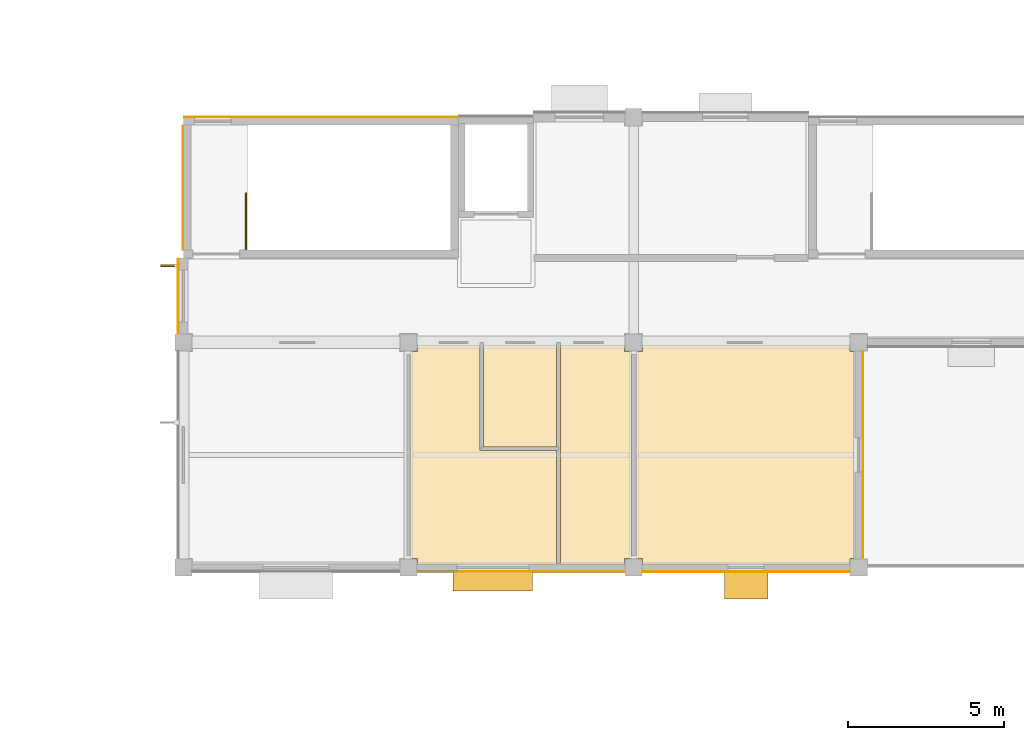
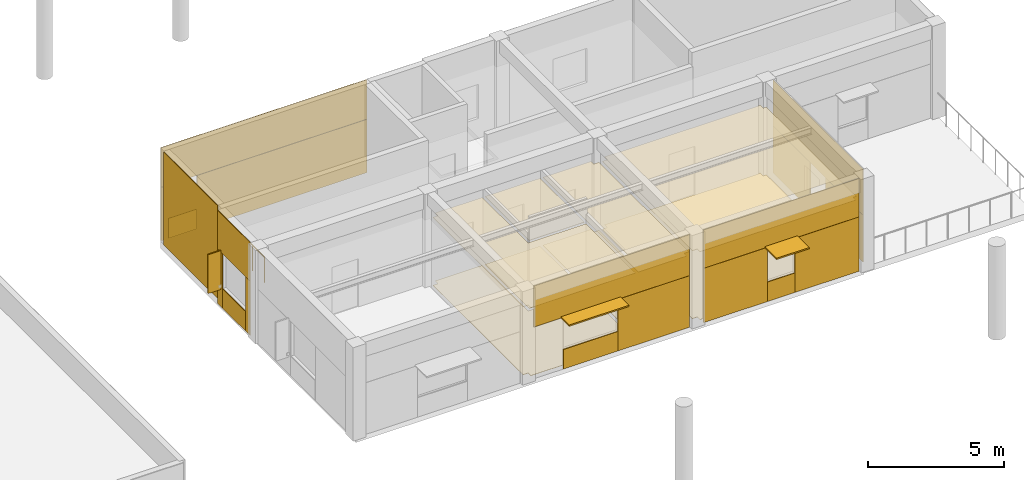
# One storey, part 21 of 29: 27 coverings, 3 shading devices, 1 railing.
"""IFC4 building model written with IfcOpenShell, lengths in metres."""

from ifc_helpers import new_model, si_unit, direction, frame, origin, origin_2d, place, context, subcontext, project, spatial, polyline, rectangle, circle, outline, extrude, material, layer, layer_set, type_object, element, save


model = new_model("IFC4")

# Units and contexts
model_context = context("Model", 3, precision=1e-05, world=origin(), true_north=direction((0.0, 1.0)))
body_context = subcontext(model_context, "Body", "Model", "MODEL_VIEW")
ifc_project = project(units=[si_unit("LENGTHUNIT", "METRE"), si_unit("AREAUNIT", "SQUARE_METRE"), si_unit("VOLUMEUNIT", "CUBIC_METRE"), si_unit("PLANEANGLEUNIT", "RADIAN"), si_unit("MASSUNIT", "GRAM", prefix="KILO")], contexts=[model_context])

# Site, building, storey
site_placement = place(None, origin())
site = spatial("IfcSite", under=ifc_project, at=site_placement, CompositionType="ELEMENT")
building_placement = place(site_placement, origin())
building = spatial("IfcBuilding", under=site, at=building_placement, Name="Namkhue Oval Health Centre", CompositionType="ELEMENT")
storey_placement = place(building_placement, frame((0.0, 0.0, 18.0)))
storey = spatial("IfcBuildingStorey", under=building, at=storey_placement, Name="L04", CompositionType="ELEMENT", Elevation=18.0)

# Coverings
ifc_material_1 = material(Name="Acoustic mineral-fibre cleanroom ceiling", Category="gypsum")
ifc_layer_1 = layer(ifc_material_1, 0.02001953125)
ifc_layer_set_1 = layer_set([ifc_layer_1], Name="Acoustic mineral-fibre cleanroom ceiling")
covering_type_1 = type_object("IfcCoveringType", Name="ACOUSTIC CLEANROOM CEILING 20", PredefinedType="CEILING", material=ifc_layer_set_1)
covering_1_placement = place(storey_placement, frame((0.0, 0.0, 3.050048828125)))
element("IfcCovering", 1, at=covering_1_placement, inside=storey, type_object=covering_type_1, Name="Acoustic Ceiling L04-502 Mental Health Staff Room", PredefinedType="CEILING", context=body_context, shape_type="SweptSolid", body=[
    extrude(outline(polyline([(103.080078125, 21.52001953125), (103.080078125, 18.139892578125), (105.5400390625, 18.139892578125), (105.5400390625, 14.485107421875), (101.0849609375, 14.485107421875), (101.0849609375, 14.68505859375), (100.8701171875, 14.68505859375), (100.8701171875, 21.31494140625), (101.0849609375, 21.31494140625), (101.0849609375, 21.52001953125), (103.080078125, 21.52001953125)])), origin(), (0.0, 0.0, 1.0), 0.02001953125),
])
covering_2_placement = place(storey_placement, frame((0.0, 0.0, 3.050048828125)))
element("IfcCovering", 2, at=covering_2_placement, inside=storey, type_object=covering_type_1, Name="Acoustic Ceiling L04-503 Accessible WC", PredefinedType="CEILING", context=body_context, shape_type="SweptSolid", body=[
    extrude(outline(polyline([(103.199951171875, 18.260009765625), (103.199951171875, 21.52001953125), (105.5400390625, 21.52001953125), (105.5400390625, 18.260009765625), (103.199951171875, 18.260009765625)])), origin(), (0.0, 0.0, 1.0), 0.02001953125),
])
covering_3_placement = place(storey_placement, frame((0.0, 0.0, 3.050048828125)))
element("IfcCovering", 3, at=covering_3_placement, inside=storey, type_object=covering_type_1, Name="Acoustic Ceiling L04-504 Staff Washroom", PredefinedType="CEILING", context=body_context, shape_type="SweptSolid", body=[
    extrude(outline(polyline([(105.659912109375, 14.485107421875), (105.659912109375, 21.52001953125), (107.715087890625, 21.52001953125), (107.715087890625, 21.31494140625), (107.929931640625, 21.31494140625), (107.929931640625, 14.68505859375), (107.715087890625, 14.68505859375), (107.715087890625, 14.485107421875), (105.659912109375, 14.485107421875)])), origin(), (0.0, 0.0, 1.0), 0.02001953125),
])
covering_4_placement = place(storey_placement, frame((0.0, 0.0, 3.050048828125)))
element("IfcCovering", 4, at=covering_4_placement, inside=storey, type_object=covering_type_1, Name="Acoustic Ceiling L04-505 Mindfulness Biofeedback Suite", PredefinedType="CEILING", context=body_context, shape_type="SweptSolid", body=[
    extrude(outline(polyline([(108.284912109375, 14.485107421875), (108.284912109375, 14.68505859375), (108.070068359375, 14.68505859375), (108.070068359375, 21.31494140625), (108.284912109375, 21.31494140625), (108.284912109375, 21.52001953125), (114.9150390625, 21.52001953125), (114.9150390625, 21.31494140625), (115.044921875, 21.31494140625), (115.044921875, 14.68505859375), (114.9150390625, 14.68505859375), (114.9150390625, 14.485107421875), (108.284912109375, 14.485107421875)])), origin(), (0.0, 0.0, 1.0), 0.02001953125),
])
ifc_material_2 = material(Name="Homogeneous anti-bacterial clinical vinyl flooring", Category="plastic")
ifc_layer_2 = layer(ifc_material_2, 0.014892578125)
ifc_layer_set_2 = layer_set([ifc_layer_2], Name="Homogeneous anti-bacterial clinical vinyl flooring")
covering_type_2 = type_object("IfcCoveringType", Name="CLINICAL ANTIBACTERIAL VINYL FLOORING 15", PredefinedType="FLOORING", material=ifc_layer_set_2)
covering_5_placement = place(storey_placement, origin())
element("IfcCovering", 5, at=covering_5_placement, inside=storey, type_object=covering_type_2, Name="Clinical Flooring L04-502 Mental Health Staff Room", PredefinedType="FLOORING", context=body_context, shape_type="SweptSolid", body=[
    extrude(outline(polyline([(103.080078125, 21.52001953125), (103.080078125, 18.139892578125), (105.5400390625, 18.139892578125), (105.5400390625, 14.485107421875), (101.0849609375, 14.485107421875), (101.0849609375, 14.68505859375), (100.8701171875, 14.68505859375), (100.8701171875, 21.31494140625), (101.0849609375, 21.31494140625), (101.0849609375, 21.52001953125), (103.080078125, 21.52001953125)])), origin(), (0.0, 0.0, 1.0), 0.014892578125),
])
covering_6_placement = place(storey_placement, origin())
element("IfcCovering", 6, at=covering_6_placement, inside=storey, type_object=covering_type_2, Name="Clinical Flooring L04-503 Accessible WC", PredefinedType="FLOORING", context=body_context, shape_type="SweptSolid", body=[
    extrude(outline(polyline([(103.199951171875, 18.260009765625), (103.199951171875, 21.52001953125), (105.5400390625, 21.52001953125), (105.5400390625, 18.260009765625), (103.199951171875, 18.260009765625)])), origin(), (0.0, 0.0, 1.0), 0.014892578125),
])
covering_7_placement = place(storey_placement, origin())
element("IfcCovering", 7, at=covering_7_placement, inside=storey, type_object=covering_type_2, Name="Clinical Flooring L04-504 Staff Washroom", PredefinedType="FLOORING", context=body_context, shape_type="SweptSolid", body=[
    extrude(outline(polyline([(105.659912109375, 14.485107421875), (105.659912109375, 21.52001953125), (107.715087890625, 21.52001953125), (107.715087890625, 21.31494140625), (107.929931640625, 21.31494140625), (107.929931640625, 14.68505859375), (107.715087890625, 14.68505859375), (107.715087890625, 14.485107421875), (105.659912109375, 14.485107421875)])), origin(), (0.0, 0.0, 1.0), 0.014892578125),
])
covering_8_placement = place(storey_placement, origin())
element("IfcCovering", 8, at=covering_8_placement, inside=storey, type_object=covering_type_2, Name="Clinical Flooring L04-505 Mindfulness Biofeedback Suite", PredefinedType="FLOORING", context=body_context, shape_type="SweptSolid", body=[
    extrude(outline(polyline([(108.284912109375, 14.485107421875), (108.284912109375, 14.68505859375), (108.070068359375, 14.68505859375), (108.070068359375, 21.31494140625), (108.284912109375, 21.31494140625), (108.284912109375, 21.52001953125), (114.9150390625, 21.52001953125), (114.9150390625, 21.31494140625), (115.044921875, 21.31494140625), (115.044921875, 14.68505859375), (114.9150390625, 14.68505859375), (114.9150390625, 14.485107421875), (108.284912109375, 14.485107421875)])), origin(), (0.0, 0.0, 1.0), 0.014892578125),
])

# Railing
ifc_material_3 = material(Name="Brushed stainless steel 316L balustrade with laminated glass infill", Category="steel")
railing_type = type_object("IfcRailingType", Name="INTERIOR BALUSTRADE GUARD 1150", PredefinedType="BALUSTRADE", material=ifc_material_3)
railing_placement = place(storey_placement, frame((95.60009765625, 24.590087890625, 0.0)))
element("IfcRailing", 9, at=railing_placement, inside=storey, type_object=railing_type, Name="Stair ST-09 L04 Landing Well Edge Guard", PredefinedType="BALUSTRADE", context=body_context, shape_type="SweptSolid", body=[
    extrude(circle(Radius=0.02392578125, at=origin_2d()), frame((0.0, 0.0, 1.1259765625), z_axis=(0.0, 1.0, 0.0), x_axis=(-1.0, 0.0, 0.0)), (0.0, 0.0, 1.0), 1.77001953125),
    extrude(circle(Radius=0.02099609375, at=origin_2d()), origin(), (0.0, 0.0, 1.0), 1.101806640625),
    extrude(circle(Radius=0.02099609375, at=origin_2d()), frame((0.0, 0.885009765625, 0.0)), (0.0, 0.0, 1.0), 1.101806640625),
    extrude(circle(Radius=0.02099609375, at=origin_2d()), frame((0.0, 1.77001953125, 0.0)), (0.0, 0.0, 1.0), 1.101806640625),
])

# Shading devices
ifc_material_4 = material(Name="Anodised aluminium EN AW-6063 T6", Category="aluminium")
ifc_layer_3 = layer(ifc_material_4, 0.06005859375)
ifc_layer_set_3 = layer_set([ifc_layer_3], Name="Anodised aluminium EN AW-6063 T6")
shading_device_type_1 = type_object("IfcShadingDeviceType", Name="MONSOON SUN LOUVRE 900", PredefinedType="JALOUSIE", material=ifc_layer_set_3)
shading_device_1_placement = place(storey_placement, frame((111.60009765625, 13.840087890625, 2.4599609375), z_axis=(0.0, 0.0, 1.0), x_axis=(1.0, 0.0, 0.0)))
element("IfcShadingDevice", 10, at=shading_device_1_placement, inside=storey, type_object=shading_device_type_1, Name="Volume V5 L04 Window Monsoon Louvre 288", PredefinedType="JALOUSIE", context=body_context, shape_type="SweptSolid", body=[
    extrude(rectangle(XDim=1.389892578125, YDim=0.89990234375, at=origin_2d()), origin(), (0.0, 0.0, 1.0), 0.06005859375),
])
ifc_layer_4 = layer(ifc_material_4, 0.050048828125)
ifc_layer_set_4 = layer_set([ifc_layer_4], Name="Anodised aluminium EN AW-6063 T6")
shading_device_type_2 = type_object("IfcShadingDeviceType", Name="STORM SHUTTER LOUVRE 650", PredefinedType="SHUTTER", material=ifc_layer_set_4)
shading_device_2_placement = place(storey_placement, frame((103.5, 13.969970703125, 2.340087890625), z_axis=(0.0, 0.0, 1.0), x_axis=(1.0, 0.0, 0.0)))
element("IfcShadingDevice", 11, at=shading_device_2_placement, inside=storey, type_object=shading_device_type_2, Name="Volume V5 L04 Window Monsoon Louvre 287", PredefinedType="SHUTTER", context=body_context, shape_type="SweptSolid", body=[
    extrude(rectangle(XDim=2.5400390625, YDim=0.64990234375, at=origin_2d()), origin(), (0.0, 0.0, 1.0), 0.06005859375),
])
shading_device_type_3 = type_object("IfcShadingDeviceType", Name="VERTICAL SOLAR FIN 600", PredefinedType="USERDEFINED", material=ifc_material_4)
shading_device_3_placement = place(storey_placement, frame((93.169921875, 24.049560546875, 0.7998046875), z_axis=(0.0, 0.0, 1.0), x_axis=(-1.0, 0.0, 0.0)))
element("IfcShadingDevice", 12, at=shading_device_3_placement, inside=storey, type_object=shading_device_type_3, Name="Volume V5 L04 Window Solar Fin 293", ObjectType="SOLAR FIN", PredefinedType="USERDEFINED", context=body_context, shape_type="SweptSolid", body=[
    extrude(rectangle(XDim=0.60009765625, YDim=0.06005859375, at=origin_2d()), origin(), (0.0, 0.0, 1.0), 1.739990234375),
])

# Coverings
ifc_material_5 = material(Name="White glass-fibre reinforced concrete GRC rainscreen cladding", Category="concrete")
ifc_layer_5 = layer(ifc_material_5, 0.02490234375)
ifc_layer_set_5 = layer_set([ifc_layer_5], Name="White glass-fibre reinforced concrete GRC rainscreen cladding")
covering_type_3 = type_object("IfcCoveringType", Name="WHITE GRC RAINSCREEN CLADDING 25", PredefinedType="CLADDING", material=ifc_layer_set_5)
covering_9_placement = place(storey_placement, frame((104.39990234375, 14.27294921875, 2.3349609375), z_axis=(0.0, 0.0, 1.0), x_axis=(1.0, 0.0, 0.0)))
element("IfcCovering", 13, at=covering_9_placement, inside=storey, type_object=covering_type_3, Name="Volume V5 L04 Facade 150 White GRC Cladding 1", PredefinedType="CLADDING", context=body_context, shape_type="SweptSolid", body=[
    extrude(rectangle(XDim=6.617919921875, YDim=0.02490234375, at=origin_2d()), origin(), (0.0, 0.0, 1.0), 1.85498046875),
])
covering_10_placement = place(storey_placement, frame((103.5, 14.27294921875, 0.010009765625), z_axis=(0.0, 0.0, 1.0), x_axis=(1.0, 0.0, 0.0)))
element("IfcCovering", 14, at=covering_10_placement, inside=storey, type_object=covering_type_3, Name="Volume V5 L04 Facade 150 White GRC Cladding 3", PredefinedType="CLADDING", context=body_context, shape_type="SweptSolid", body=[
    extrude(rectangle(XDim=2.320068359375, YDim=0.02490234375, at=origin_2d()), origin(), (0.0, 0.0, 1.0), 0.875),
])
covering_11_placement = place(storey_placement, frame((106.18701171875, 14.27294921875, 0.009765625), z_axis=(0.0, 0.0, 1.0), x_axis=(1.0, 0.0, 0.0)))
element("IfcCovering", 15, at=covering_11_placement, inside=storey, type_object=covering_type_3, Name="Volume V5 L04 Facade 150 White GRC Cladding 4", PredefinedType="CLADDING", context=body_context, shape_type="SweptSolid", body=[
    extrude(rectangle(XDim=3.0439453125, YDim=0.02490234375, at=origin_2d()), origin(), (0.0, 0.0, 1.0), 2.320068359375),
])
covering_12_placement = place(storey_placement, frame((111.60009765625, 14.26806640625, 2.455078125), z_axis=(0.0, 0.0, 1.0), x_axis=(1.0, 0.0, 0.0)))
element("IfcCovering", 16, at=covering_12_placement, inside=storey, type_object=covering_type_3, Name="Volume V5 L04 Facade 151 White GRC Cladding 1", PredefinedType="CLADDING", context=body_context, shape_type="SweptSolid", body=[
    extrude(rectangle(XDim=6.617919921875, YDim=0.02490234375, at=origin_2d()), origin(), (0.0, 0.0, 1.0), 1.735107421875),
])
covering_13_placement = place(storey_placement, frame((109.650390625, 14.26806640625, 0.010009765625), z_axis=(0.0, 0.0, 1.0), x_axis=(1.0, 0.0, 0.0)))
element("IfcCovering", 17, at=covering_13_placement, inside=storey, type_object=covering_type_3, Name="Volume V5 L04 Facade 151 White GRC Cladding 2", PredefinedType="CLADDING", context=body_context, shape_type="SweptSolid", body=[
    extrude(rectangle(XDim=2.718994140625, YDim=0.02490234375, at=origin_2d()), origin(), (0.0, 0.0, 1.0), 2.43994140625),
])
covering_14_placement = place(storey_placement, frame((111.60009765625, 14.26806640625, 0.010009765625), z_axis=(0.0, 0.0, 1.0), x_axis=(1.0, 0.0, 0.0)))
element("IfcCovering", 18, at=covering_14_placement, inside=storey, type_object=covering_type_3, Name="Volume V5 L04 Facade 151 White GRC Cladding 3", PredefinedType="CLADDING", context=body_context, shape_type="SweptSolid", body=[
    extrude(rectangle(XDim=1.169921875, YDim=0.02490234375, at=origin_2d()), origin(), (0.0, 0.0, 1.0), 0.875),
])
covering_15_placement = place(storey_placement, frame((113.549560546875, 14.26806640625, 0.010009765625), z_axis=(0.0, 0.0, 1.0), x_axis=(1.0, 0.0, 0.0)))
element("IfcCovering", 19, at=covering_15_placement, inside=storey, type_object=covering_type_3, Name="Volume V5 L04 Facade 151 White GRC Cladding 4", PredefinedType="CLADDING", context=body_context, shape_type="SweptSolid", body=[
    extrude(rectangle(XDim=2.718994140625, YDim=0.02490234375, at=origin_2d()), origin(), (0.0, 0.0, 1.0), 2.43994140625),
])
covering_16_placement = place(storey_placement, frame((115.3369140625, 18.0, 2.13525390625), z_axis=(0.0, 0.0, 1.0), x_axis=(0.0, 1.0, 0.0)))
element("IfcCovering", 20, at=covering_16_placement, inside=storey, type_object=covering_type_3, Name="Volume V5 L04 Facade 152 White GRC Cladding 1", PredefinedType="CLADDING", context=body_context, shape_type="SweptSolid", body=[
    extrude(rectangle(XDim=6.617919921875, YDim=0.02490234375, at=origin_2d()), origin(), (0.0, 0.0, 1.0), 2.054931640625),
])
for number, where, z_axis, x_axis, name in (
    (21, (115.3369140625, 16.06298828125, 0.010009765625), (0.0, 0.0, 1.0), (0.0, 1.0, 0.0), "Volume V5 L04 Facade 152 White GRC Cladding 2"),
    (22, (115.3369140625, 19.93701171875, 0.010009765625), (0.0, 0.0, 1.0), (0.0, 1.0, 0.0), "Volume V5 L04 Facade 152 White GRC Cladding 3"),
):
    element("IfcCovering", number, at=place(storey_placement, frame(where, z_axis=z_axis, x_axis=x_axis)), inside=storey, type_object=covering_type_3, Name=name, PredefinedType="CLADDING", context=body_context, shape_type="SweptSolid", body=[
        extrude(rectangle(XDim=2.743896484375, YDim=0.02490234375, at=origin_2d()), origin(), (0.0, 0.0, 1.0), 2.1201171875),
    ])
covering_17_placement = place(storey_placement, frame((93.43798828125, 23.08447265625, 2.455078125), z_axis=(0.0, 0.0, 1.0), x_axis=(0.0, -1.0, 0.0)))
element("IfcCovering", 23, at=covering_17_placement, inside=storey, type_object=covering_type_3, Name="Volume V5 L04 Facade 157 White GRC Cladding 1", PredefinedType="CLADDING", context=body_context, shape_type="SweptSolid", body=[
    extrude(rectangle(XDim=2.386962890625, YDim=0.02490234375, at=origin_2d()), origin(), (0.0, 0.0, 1.0), 1.735107421875),
])
covering_18_placement = place(storey_placement, frame((93.43798828125, 24.101318359375, 0.010009765625), z_axis=(0.0, 0.0, 1.0), x_axis=(0.0, -1.0, 0.0)))
element("IfcCovering", 24, at=covering_18_placement, inside=storey, type_object=covering_type_3, Name="Volume V5 L04 Facade 157 White GRC Cladding 2", PredefinedType="CLADDING", context=body_context, shape_type="SweptSolid", body=[
    extrude(rectangle(XDim=0.353515625, YDim=0.02490234375, at=origin_2d()), origin(), (0.0, 0.0, 1.0), 2.43994140625),
])
covering_19_placement = place(storey_placement, frame((93.43798828125, 23.08447265625, 0.010009765625), z_axis=(0.0, 0.0, 1.0), x_axis=(0.0, -1.0, 0.0)))
element("IfcCovering", 25, at=covering_19_placement, inside=storey, type_object=covering_type_3, Name="Volume V5 L04 Facade 157 White GRC Cladding 3", PredefinedType="CLADDING", context=body_context, shape_type="SweptSolid", body=[
    extrude(rectangle(XDim=1.669921875, YDim=0.02490234375, at=origin_2d()), origin(), (0.0, 0.0, 1.0), 0.875),
])
covering_20_placement = place(storey_placement, frame((93.43798828125, 22.067626953125, 0.010009765625), z_axis=(0.0, 0.0, 1.0), x_axis=(0.0, -1.0, 0.0)))
element("IfcCovering", 26, at=covering_20_placement, inside=storey, type_object=covering_type_3, Name="Volume V5 L04 Facade 157 White GRC Cladding 4", PredefinedType="CLADDING", context=body_context, shape_type="SweptSolid", body=[
    extrude(rectangle(XDim=0.353515625, YDim=0.02490234375, at=origin_2d()), origin(), (0.0, 0.0, 1.0), 2.43994140625),
])
covering_21_placement = place(storey_placement, frame((98.0, 28.81201171875, 2.4150390625), z_axis=(0.0, 0.0, 1.0), x_axis=(-1.0, 0.0, 0.0)))
element("IfcCovering", 27, at=covering_21_placement, inside=storey, type_object=covering_type_3, Name="Core SC-09 L04 Core N White GRC Cladding 1", PredefinedType="CLADDING", context=body_context, shape_type="SweptSolid", body=[
    extrude(rectangle(XDim=8.760009765625, YDim=0.02490234375, at=origin_2d()), origin(), (0.0, 0.0, 1.0), 1.77490234375),
])
covering_22_placement = place(storey_placement, frame((98.762451171875, 28.81201171875, 0.010009765625), z_axis=(0.0, 0.0, 1.0), x_axis=(-1.0, 0.0, 0.0)))
element("IfcCovering", 28, at=covering_22_placement, inside=storey, type_object=covering_type_3, Name="Core SC-09 L04 Core N White GRC Cladding 2", PredefinedType="CLADDING", context=body_context, shape_type="SweptSolid", body=[
    extrude(rectangle(XDim=7.235107421875, YDim=0.02490234375, at=origin_2d()), origin(), (0.0, 0.0, 1.0), 2.39990234375),
])
covering_23_placement = place(storey_placement, frame((94.5400390625, 28.81201171875, 0.010009765625), z_axis=(0.0, 0.0, 1.0), x_axis=(-1.0, 0.0, 0.0)))
element("IfcCovering", 29, at=covering_23_placement, inside=storey, type_object=covering_type_3, Name="Core SC-09 L04 Core N White GRC Cladding 3", PredefinedType="CLADDING", context=body_context, shape_type="SweptSolid", body=[
    extrude(rectangle(XDim=1.199951171875, YDim=0.02490234375, at=origin_2d()), origin(), (0.0, 0.0, 1.0), 0.89501953125),
])
covering_24_placement = place(storey_placement, frame((93.777587890625, 28.81201171875, 0.010009765625), z_axis=(0.0, 0.0, 1.0), x_axis=(-1.0, 0.0, 0.0)))
element("IfcCovering", 30, at=covering_24_placement, inside=storey, type_object=covering_type_3, Name="Core SC-09 L04 Core N White GRC Cladding 4", PredefinedType="CLADDING", context=body_context, shape_type="SweptSolid", body=[
    extrude(rectangle(XDim=0.31494140625, YDim=0.02490234375, at=origin_2d()), origin(), (0.0, 0.0, 1.0), 2.39990234375),
])
covering_25_placement = place(storey_placement, frame((93.587890625, 26.550048828125, 0.01025390625), z_axis=(0.0, 0.0, 1.0), x_axis=(0.0, -1.0, 0.0)))
element("IfcCovering", 31, at=covering_25_placement, inside=storey, type_object=covering_type_3, Name="Core SC-09 L04 Core W White GRC Cladding 1", PredefinedType="CLADDING", context=body_context, shape_type="SweptSolid", body=[
    extrude(rectangle(XDim=3.9599609375, YDim=0.02490234375, at=origin_2d()), origin(), (0.0, 0.0, 1.0), 4.179931640625),
])

save(model, "model.ifc")
